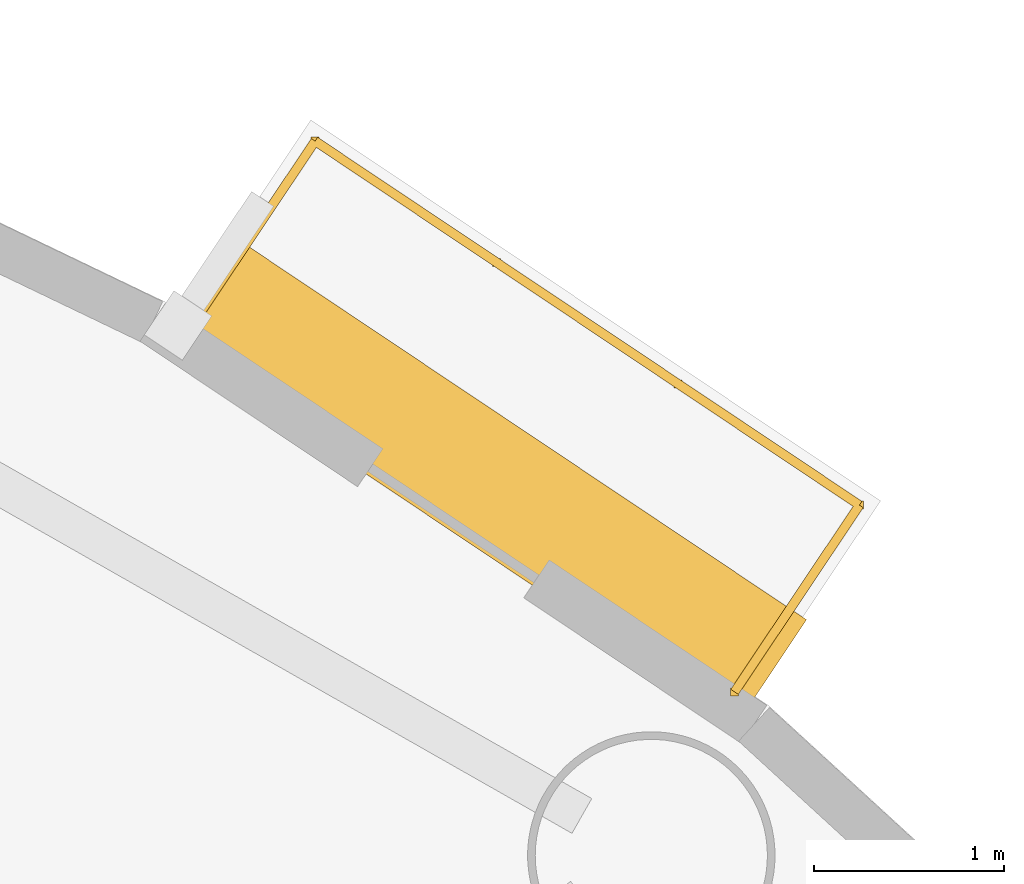
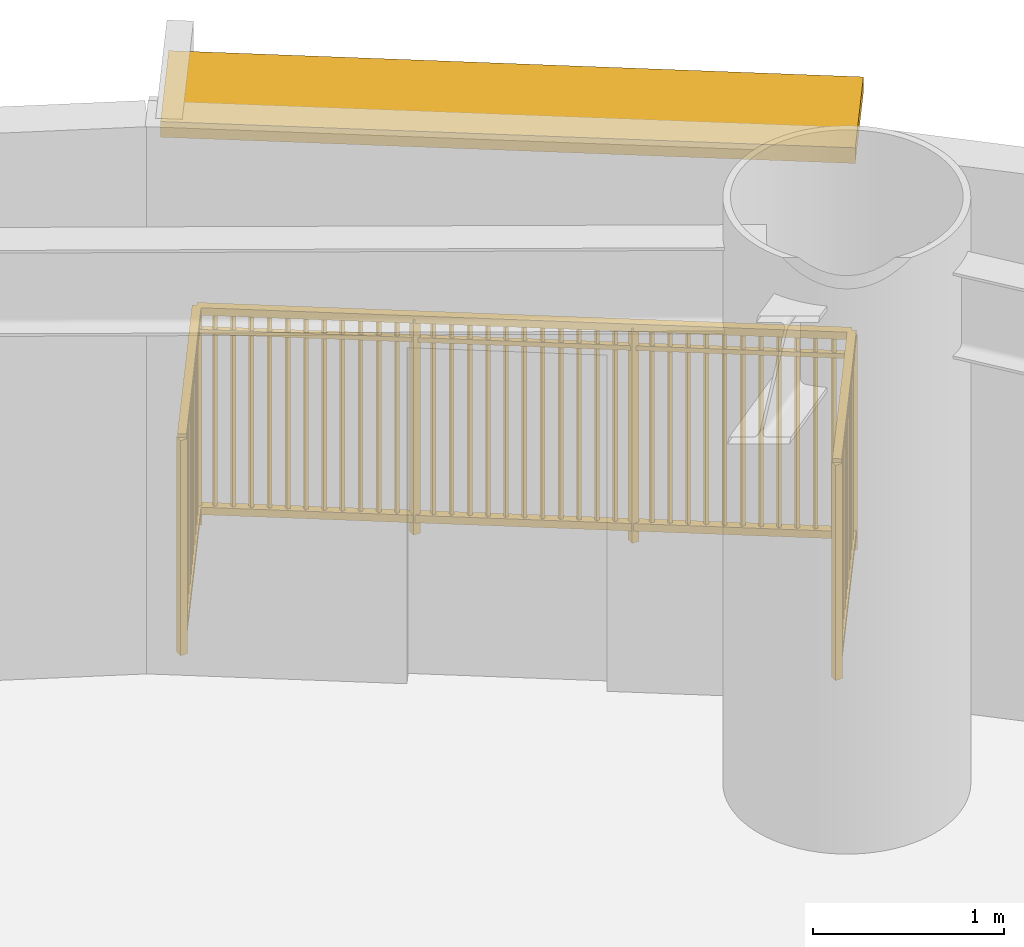
# One storey, part 20 of 20: 1 railing, 1 shading device.
"""IFC4 building model written with IfcOpenShell, lengths in metres."""

import ifcopenshell
import ifcopenshell.guid

model = None  # the IFC model being written
_history = None  # IfcOwnerHistory: only IFC2X3 demands one
_inside = {}  # id of a spatial element -> (the spatial element, [elements in it])
_under = {}  # id of a project, library or spatial element -> (it, [spatial elements below it])
_declared = {}  # id of a project -> (the project, [libraries it declares])
_typed = {}  # id of a type object -> (the type object, [elements of that type])
_made_of = {}  # id of a material, layer set ... -> (it, [elements and type objects made of it])


def new_model(schema):
    """Start an empty IFC model of exactly this schema.

    Asked for "IFC4X3", IfcOpenShell would pick the latest addendum, in which some entities
    have other attributes; the version numbers below select the first issue.
    IFC2X3 requires an IfcOwnerHistory on every rooted entity: one is made here for all.
    """
    global model, _history
    if schema == "IFC4X3":
        model = ifcopenshell.file(schema_version=(4, 3, 0, 0))
    else:
        model = ifcopenshell.file(schema=schema)
    _inside.clear()
    _under.clear()
    _declared.clear()
    _typed.clear()
    _made_of.clear()
    _history = None
    if model.schema == "IFC2X3":
        org = make("IfcOrganization", Name="unknown")
        user = make(
            "IfcPersonAndOrganization",
            ThePerson=make("IfcPerson", FamilyName="unknown"),
            TheOrganization=org,
        )
        app = make(
            "IfcApplication",
            ApplicationDeveloper=org,
            Version="unknown",
            ApplicationFullName="unknown",
            ApplicationIdentifier="unknown",
        )
        _history = make(
            "IfcOwnerHistory",
            OwningUser=user,
            OwningApplication=app,
            ChangeAction="ADDED",
            CreationDate=0,
        )
    return model


def make(cls, **values):
    """One entity of the class cls with the attributes given. An attribute that is None is left unset."""
    return model.create_entity(
        cls, **{name: value for name, value in values.items() if value is not None}
    )


def rooted(cls, **values):
    """An entity with a GlobalId (a new one), such as an element, a storey or a relation."""
    return make(cls, GlobalId=ifcopenshell.guid.new(), OwnerHistory=_history, **values)


def si_unit(unit_type, name, prefix=None):
    """IfcSIUnit, for example si_unit("LENGTHUNIT", "METRE", prefix="MILLI")."""
    return make("IfcSIUnit", UnitType=unit_type, Prefix=prefix, Name=name)


def assignment(units):
    """IfcUnitAssignment: the units of a project."""
    return None if units is None else make("IfcUnitAssignment", Units=units)


def point(xyz):
    """IfcCartesianPoint."""
    return None if xyz is None else make("IfcCartesianPoint", Coordinates=xyz)


def direction(xyz):
    """IfcDirection."""
    return None if xyz is None else make("IfcDirection", DirectionRatios=xyz)


def frame(location, z_axis=None, x_axis=None):
    """IfcAxis2Placement3D, a coordinate frame: its origin and axes. An axis left out is left unset."""
    return make(
        "IfcAxis2Placement3D",
        Location=point(location),
        Axis=direction(z_axis),
        RefDirection=direction(x_axis),
    )


def frame_2d(location, x_axis=None):
    """IfcAxis2Placement2D, a coordinate frame in the plane: its origin and x axis."""
    return make(
        "IfcAxis2Placement2D", Location=point(location), RefDirection=direction(x_axis)
    )


def origin():
    """The frame at (0, 0, 0) with its axes left unset."""
    return frame((0.0, 0.0, 0.0))


def origin_2d():
    """The frame at (0, 0) in the plane with its x axis left unset."""
    return frame_2d((0.0, 0.0))


def place(relative_to, where):
    """IfcLocalPlacement: puts the frame where relative to a parent placement (None: the world)."""
    return make(
        "IfcLocalPlacement", PlacementRelTo=relative_to, RelativePlacement=where
    )


def context(
    kind, dimensions, precision=None, world=None, true_north=None, identifier=None
):
    """IfcGeometricRepresentationContext, for example the 3D "Model" context."""
    return make(
        "IfcGeometricRepresentationContext",
        ContextIdentifier=identifier,
        ContextType=kind,
        CoordinateSpaceDimension=dimensions,
        Precision=precision,
        WorldCoordinateSystem=world,
        TrueNorth=true_north,
    )


def subcontext(parent, identifier, kind, view, scale=None):
    """IfcGeometricRepresentationSubContext, for example "Body" below "Model"."""
    return make(
        "IfcGeometricRepresentationSubContext",
        ContextIdentifier=identifier,
        ContextType=kind,
        ParentContext=parent,
        TargetScale=scale,
        TargetView=view,
    )


def project(units=None, contexts=None):
    """IfcProject with its units and contexts."""
    return rooted(
        "IfcProject",
        Name="project",
        RepresentationContexts=contexts,
        UnitsInContext=assignment(units),
    )


def spatial(cls, under=None, at=None, **own):
    """A site, building, storey or space (cls), placed at a placement, below another one or the project."""
    s = rooted(cls, ObjectPlacement=at, **own)
    if under is not None:
        _under.setdefault(under.id(), (under, []))[1].append(s)
    return s


def profile(cls, at=None, kind="AREA", **sizes):
    """A parametric profile (cls). Its sizes go by their IFC names, for example OverallWidth=200.0."""
    return make(cls, ProfileType=kind, Position=at, **sizes)


def rectangle(**sizes):
    """IfcRectangleProfileDef."""
    return profile("IfcRectangleProfileDef", **sizes)


def extrude(swept, where, along, depth):
    """IfcExtrudedAreaSolid: the profile swept, set in the frame where, extruded along a direction by depth."""
    return make(
        "IfcExtrudedAreaSolid",
        SweptArea=swept,
        Position=where,
        ExtrudedDirection=direction(along),
        Depth=depth,
    )


def shape(context_of_items, identifier, shape_type, items):
    """IfcShapeRepresentation: the items that make up one representation, for example the "Body"."""
    return make(
        "IfcShapeRepresentation",
        ContextOfItems=context_of_items,
        RepresentationIdentifier=identifier,
        RepresentationType=shape_type,
        Items=items,
    )


def source(mapping_origin, context_of_items, identifier, shape_type, items):
    """IfcRepresentationMap: a shape defined once, which mapped items show again and again."""
    return make(
        "IfcRepresentationMap",
        MappingOrigin=mapping_origin,
        MappedRepresentation=shape(context_of_items, identifier, shape_type, items),
    )


def transform(
    local_origin,
    x_axis=None,
    y_axis=None,
    z_axis=None,
    scale=None,
    scale2=None,
    scale3=None,
    uniform=True,
):
    """IfcCartesianTransformationOperator3D, or its non-uniform kind. x_axis, y_axis, z_axis: its Axis1, 2, 3."""
    if uniform:
        return make(
            "IfcCartesianTransformationOperator3D",
            Axis1=direction(x_axis),
            Axis2=direction(y_axis),
            LocalOrigin=point(local_origin),
            Scale=scale,
            Axis3=direction(z_axis),
        )
    return make(
        "IfcCartesianTransformationOperator3DnonUniform",
        Axis1=direction(x_axis),
        Axis2=direction(y_axis),
        LocalOrigin=point(local_origin),
        Scale=scale,
        Axis3=direction(z_axis),
        Scale2=scale2,
        Scale3=scale3,
    )


def mapped(mapping_source, mapping_target):
    """IfcMappedItem: shows the shape of a source again, moved by a transform."""
    return make(
        "IfcMappedItem", MappingSource=mapping_source, MappingTarget=mapping_target
    )


def material(Name=None, Category=None):
    """IfcMaterial."""
    return make("IfcMaterial", Name=Name, Category=Category)


def layer(
    of_material, thickness, ventilated=None, Name=None, Category=None, Priority=None
):
    """IfcMaterialLayer: one layer of a wall or slab, of a material (None: an air gap)."""
    return make(
        "IfcMaterialLayer",
        Material=of_material,
        LayerThickness=thickness,
        IsVentilated=ventilated,
        Name=Name,
        Category=Category,
        Priority=Priority,
    )


def layer_set(layers, Name=None):
    """IfcMaterialLayerSet."""
    return make("IfcMaterialLayerSet", MaterialLayers=layers, LayerSetName=Name)


def made_of(thing, what):
    """Note that an element or type object is made of a material, layer set ...; save() writes the relation."""
    if what is not None:
        _made_of.setdefault(what.id(), (what, []))[1].append(thing)
    return thing


def type_object(cls, material=None, **own):
    """A type object (cls), such as IfcWallType, which elements share."""
    return made_of(rooted(cls, **own), material)


def element(
    cls,
    number,
    at=None,
    inside=None,
    cuts=None,
    type_object=None,
    material=None,
    context=None,
    identifier="Body",
    shape_type=None,
    held_by="IfcProductDefinitionShape",
    body=None,
    shapes=None,
    **own,
):
    """One element of the class cls, such as IfcWall. Its Tag is "e" and its number.

    at: its placement. inside: the storey or other place that contains it. cuts: it is an
    opening in that element (IfcRelVoidsElement). A single representation is given by context,
    identifier, shape_type and body (its items); several are given by shapes. held_by: the class
    of the entity that holds the representations. save() writes the other relations.
    """
    e = rooted(cls, Tag="e%d" % number, ObjectPlacement=at, **own)
    if body is not None:
        shapes = [shape(context, identifier, shape_type, body)]
    if shapes is not None:
        e.Representation = make(held_by, Representations=shapes)
    if inside is not None:
        _inside.setdefault(inside.id(), (inside, []))[1].append(e)
    if cuts is not None:
        rooted(
            "IfcRelVoidsElement", RelatingBuildingElement=cuts, RelatedOpeningElement=e
        )
    if type_object is not None:
        _typed.setdefault(type_object.id(), (type_object, []))[1].append(e)
    return made_of(e, material)


def aggregate(whole, parts):
    """IfcRelAggregates: a whole, such as a stair, and the parts it consists of."""
    return rooted("IfcRelAggregates", RelatingObject=whole, RelatedObjects=parts)


def save(model, path):
    """Write the relations noted so far, then the file.

    IfcRelAggregates (storeys below a building ...), IfcRelContainedInSpatialStructure (elements
    in a storey), IfcRelDefinesByType, IfcRelAssociatesMaterial and IfcRelDeclares: one each for
    every whole, place, type object, material and project.
    """
    for whole, parts in _under.values():
        aggregate(whole, parts)
    for where, things in _inside.values():
        rooted(
            "IfcRelContainedInSpatialStructure",
            RelatedElements=things,
            RelatingStructure=where,
        )
    for kind, things in _typed.values():
        rooted("IfcRelDefinesByType", RelatedObjects=things, RelatingType=kind)
    for what, things in _made_of.values():
        rooted("IfcRelAssociatesMaterial", RelatedObjects=things, RelatingMaterial=what)
    for by, libraries in _declared.values():
        rooted("IfcRelDeclares", RelatingContext=by, RelatedDefinitions=libraries)
    model.write(path)


model = new_model("IFC4")

# Units and contexts
model_context = context("Model", 3, precision=1e-05, world=origin(), true_north=direction((0.0, 1.0)))
body_context = subcontext(model_context, "Body", "Model", "MODEL_VIEW")
ifc_project = project(units=[si_unit("LENGTHUNIT", "METRE"), si_unit("AREAUNIT", "SQUARE_METRE"), si_unit("VOLUMEUNIT", "CUBIC_METRE"), si_unit("PLANEANGLEUNIT", "RADIAN"), si_unit("MASSUNIT", "GRAM", prefix="KILO")], contexts=[model_context])

# Site, building, storey
site_placement = place(None, origin())
site = spatial("IfcSite", under=ifc_project, at=site_placement, CompositionType="ELEMENT")
building_placement = place(site_placement, origin())
building = spatial("IfcBuilding", under=site, at=building_placement, Name="Linh Dai School and Residence Tower", CompositionType="ELEMENT")
storey_placement = place(building_placement, frame((0.0, 0.0, 163.64990234375)))
storey = spatial("IfcBuildingStorey", under=building, at=storey_placement, Name="L39", CompositionType="ELEMENT", Elevation=163.64990234375)

# Railing
ifc_material_1 = material(Name="Structural Steel S355JR", Category="steel")
railing_type = type_object("IfcRailingType", Name="RL-BAL-1400", PredefinedType="BALUSTRADE", material=ifc_material_1)
shared_shape_1 = source(origin(), body_context, "Body", "SweptSolid", [
    extrude(rectangle(XDim=0.048095703125, YDim=0.048095703125, at=origin_2d()), frame((0.0, 0.0, 1.3759765625), z_axis=(0.555845809438, 0.831285411956, 0.0), x_axis=(-0.831285411956, 0.555845809438, 0.0)), (0.0, 0.0, 1.0), 1.1796875),
    extrude(rectangle(XDim=0.048095703125, YDim=0.048095703125, at=origin_2d()), frame((0.0, 0.0, 0.10009765625), z_axis=(0.555845809438, 0.831285411956, 0.0), x_axis=(-0.831285411956, 0.555845809438, 0.0)), (0.0, 0.0, 1.0), 1.1796875),
    extrude(rectangle(XDim=0.030029296875, YDim=0.030029296875, at=origin_2d()), frame((0.0, 0.0, 1.239990234375), z_axis=(0.555845809438, 0.831285411956, 0.0), x_axis=(-0.831285411956, 0.555845809438, 0.0)), (0.0, 0.0, 1.0), 1.1796875),
    extrude(rectangle(XDim=0.02001953125, YDim=0.02001953125, at=origin_2d()), frame((0.050537109375, 0.075439453125, 0.10009765625)), (0.0, 0.0, 1.0), 1.251708984375),
    extrude(rectangle(XDim=0.02001953125, YDim=0.02001953125, at=origin_2d()), frame((0.100830078125, 0.15087890625, 0.10009765625)), (0.0, 0.0, 1.0), 1.251708984375),
    extrude(rectangle(XDim=0.02001953125, YDim=0.02001953125, at=origin_2d()), frame((0.1513671875, 0.226318359375, 0.10009765625)), (0.0, 0.0, 1.0), 1.251708984375),
    extrude(rectangle(XDim=0.02001953125, YDim=0.02001953125, at=origin_2d()), frame((0.20166015625, 0.3017578125, 0.10009765625)), (0.0, 0.0, 1.0), 1.251708984375),
    extrude(rectangle(XDim=0.02001953125, YDim=0.02001953125, at=origin_2d()), frame((0.252197265625, 0.377197265625, 0.10009765625)), (0.0, 0.0, 1.0), 1.251708984375),
    extrude(rectangle(XDim=0.02001953125, YDim=0.02001953125, at=origin_2d()), frame((0.302734375, 0.45263671875, 0.10009765625)), (0.0, 0.0, 1.0), 1.251708984375),
    extrude(rectangle(XDim=0.02001953125, YDim=0.02001953125, at=origin_2d()), frame((0.35302734375, 0.528076171875, 0.10009765625)), (0.0, 0.0, 1.0), 1.251708984375),
    extrude(rectangle(XDim=0.02001953125, YDim=0.02001953125, at=origin_2d()), frame((0.403564453125, 0.603515625, 0.10009765625)), (0.0, 0.0, 1.0), 1.251708984375),
    extrude(rectangle(XDim=0.02001953125, YDim=0.02001953125, at=origin_2d()), frame((0.4541015625, 0.678955078125, 0.10009765625)), (0.0, 0.0, 1.0), 1.251708984375),
    extrude(rectangle(XDim=0.02001953125, YDim=0.02001953125, at=origin_2d()), frame((0.50439453125, 0.75439453125, 0.10009765625)), (0.0, 0.0, 1.0), 1.251708984375),
    extrude(rectangle(XDim=0.02001953125, YDim=0.02001953125, at=origin_2d()), frame((0.554931640625, 0.829833984375, 0.10009765625)), (0.0, 0.0, 1.0), 1.251708984375),
    extrude(rectangle(XDim=0.02001953125, YDim=0.02001953125, at=origin_2d()), frame((0.605224609375, 0.9052734375, 0.10009765625)), (0.0, 0.0, 1.0), 1.251708984375),
    extrude(rectangle(XDim=0.048095703125, YDim=0.048095703125, at=origin_2d()), frame((0.65576171875, 0.980712890625, 1.3759765625), z_axis=(0.831252406141, -0.555895167532, 0.0), x_axis=(0.555895167532, 0.831252406141, 0.0)), (0.0, 0.0, 1.0), 3.440185546875),
    extrude(rectangle(XDim=0.048095703125, YDim=0.048095703125, at=origin_2d()), frame((0.65576171875, 0.980712890625, 0.10009765625), z_axis=(0.831252406141, -0.555895167532, 0.0), x_axis=(0.555895167532, 0.831252406141, 0.0)), (0.0, 0.0, 1.0), 3.440185546875),
    extrude(rectangle(XDim=0.030029296875, YDim=0.030029296875, at=origin_2d()), frame((0.65576171875, 0.980712890625, 1.239990234375), z_axis=(0.831252406141, -0.555895167532, 0.0), x_axis=(0.555895167532, 0.831252406141, 0.0)), (0.0, 0.0, 1.0), 3.440185546875),
    extrude(rectangle(XDim=0.02001953125, YDim=0.02001953125, at=origin_2d()), frame((0.735107421875, 0.927490234375, 0.10009765625)), (0.0, 0.0, 1.0), 1.251708984375),
    extrude(rectangle(XDim=0.02001953125, YDim=0.02001953125, at=origin_2d()), frame((0.814697265625, 0.87451171875, 0.10009765625)), (0.0, 0.0, 1.0), 1.251708984375),
    extrude(rectangle(XDim=0.02001953125, YDim=0.02001953125, at=origin_2d()), frame((0.89404296875, 0.8212890625, 0.10009765625)), (0.0, 0.0, 1.0), 1.251708984375),
    extrude(rectangle(XDim=0.02001953125, YDim=0.02001953125, at=origin_2d()), frame((0.973388671875, 0.768310546875, 0.10009765625)), (0.0, 0.0, 1.0), 1.251708984375),
    extrude(rectangle(XDim=0.02001953125, YDim=0.02001953125, at=origin_2d()), frame((1.052978515625, 0.715087890625, 0.10009765625)), (0.0, 0.0, 1.0), 1.251708984375),
    extrude(rectangle(XDim=0.02001953125, YDim=0.02001953125, at=origin_2d()), frame((1.13232421875, 0.662109375, 0.10009765625)), (0.0, 0.0, 1.0), 1.251708984375),
    extrude(rectangle(XDim=0.02001953125, YDim=0.02001953125, at=origin_2d()), frame((1.2119140625, 0.60888671875, 0.10009765625)), (0.0, 0.0, 1.0), 1.251708984375),
    extrude(rectangle(XDim=0.02001953125, YDim=0.02001953125, at=origin_2d()), frame((1.291259765625, 0.5556640625, 0.10009765625)), (0.0, 0.0, 1.0), 1.251708984375),
    extrude(rectangle(XDim=0.02001953125, YDim=0.02001953125, at=origin_2d()), frame((1.37060546875, 0.502685546875, 0.10009765625)), (0.0, 0.0, 1.0), 1.251708984375),
    extrude(rectangle(XDim=0.02001953125, YDim=0.02001953125, at=origin_2d()), frame((1.4501953125, 0.449462890625, 0.10009765625)), (0.0, 0.0, 1.0), 1.251708984375),
    extrude(rectangle(XDim=0.02001953125, YDim=0.02001953125, at=origin_2d()), frame((1.529541015625, 0.396484375, 0.10009765625)), (0.0, 0.0, 1.0), 1.251708984375),
    extrude(rectangle(XDim=0.02001953125, YDim=0.02001953125, at=origin_2d()), frame((1.6884765625, 0.2900390625, 0.10009765625)), (0.0, 0.0, 1.0), 1.251708984375),
    extrude(rectangle(XDim=0.02001953125, YDim=0.02001953125, at=origin_2d()), frame((1.767822265625, 0.237060546875, 0.10009765625)), (0.0, 0.0, 1.0), 1.251708984375),
    extrude(rectangle(XDim=0.02001953125, YDim=0.02001953125, at=origin_2d()), frame((1.84716796875, 0.183837890625, 0.10009765625)), (0.0, 0.0, 1.0), 1.251708984375),
    extrude(rectangle(XDim=0.02001953125, YDim=0.02001953125, at=origin_2d()), frame((1.9267578125, 0.130859375, 0.10009765625)), (0.0, 0.0, 1.0), 1.251708984375),
    extrude(rectangle(XDim=0.02001953125, YDim=0.02001953125, at=origin_2d()), frame((2.006103515625, 0.07763671875, 0.10009765625)), (0.0, 0.0, 1.0), 1.251708984375),
    extrude(rectangle(XDim=0.02001953125, YDim=0.02001953125, at=origin_2d()), frame((2.08544921875, 0.0244140625, 0.10009765625)), (0.0, 0.0, 1.0), 1.251708984375),
    extrude(rectangle(XDim=0.02001953125, YDim=0.02001953125, at=origin_2d()), frame((2.1650390625, -0.028564453125, 0.10009765625)), (0.0, 0.0, 1.0), 1.251708984375),
    extrude(rectangle(XDim=0.02001953125, YDim=0.02001953125, at=origin_2d()), frame((2.244384765625, -0.081787109375, 0.10009765625)), (0.0, 0.0, 1.0), 1.251708984375),
    extrude(rectangle(XDim=0.02001953125, YDim=0.02001953125, at=origin_2d()), frame((2.323974609375, -0.134765625, 0.10009765625)), (0.0, 0.0, 1.0), 1.251708984375),
    extrude(rectangle(XDim=0.02001953125, YDim=0.02001953125, at=origin_2d()), frame((2.4033203125, -0.18798828125, 0.10009765625)), (0.0, 0.0, 1.0), 1.251708984375),
    extrude(rectangle(XDim=0.02001953125, YDim=0.02001953125, at=origin_2d()), frame((2.482666015625, -0.240966796875, 0.10009765625)), (0.0, 0.0, 1.0), 1.251708984375),
    extrude(rectangle(XDim=0.02001953125, YDim=0.02001953125, at=origin_2d()), frame((2.6416015625, -0.347412109375, 0.10009765625)), (0.0, 0.0, 1.0), 1.251708984375),
    extrude(rectangle(XDim=0.02001953125, YDim=0.02001953125, at=origin_2d()), frame((2.720947265625, -0.400390625, 0.10009765625)), (0.0, 0.0, 1.0), 1.251708984375),
    extrude(rectangle(XDim=0.02001953125, YDim=0.02001953125, at=origin_2d()), frame((2.800537109375, -0.45361328125, 0.10009765625)), (0.0, 0.0, 1.0), 1.251708984375),
    extrude(rectangle(XDim=0.02001953125, YDim=0.02001953125, at=origin_2d()), frame((2.8798828125, -0.506591796875, 0.10009765625)), (0.0, 0.0, 1.0), 1.251708984375),
    extrude(rectangle(XDim=0.02001953125, YDim=0.02001953125, at=origin_2d()), frame((2.959228515625, -0.559814453125, 0.10009765625)), (0.0, 0.0, 1.0), 1.251708984375),
    extrude(rectangle(XDim=0.02001953125, YDim=0.02001953125, at=origin_2d()), frame((3.038818359375, -0.61279296875, 0.10009765625)), (0.0, 0.0, 1.0), 1.251708984375),
    extrude(rectangle(XDim=0.02001953125, YDim=0.02001953125, at=origin_2d()), frame((3.1181640625, -0.666015625, 0.10009765625)), (0.0, 0.0, 1.0), 1.251708984375),
    extrude(rectangle(XDim=0.02001953125, YDim=0.02001953125, at=origin_2d()), frame((3.19775390625, -0.71923828125, 0.10009765625)), (0.0, 0.0, 1.0), 1.251708984375),
    extrude(rectangle(XDim=0.02001953125, YDim=0.02001953125, at=origin_2d()), frame((3.277099609375, -0.772216796875, 0.10009765625)), (0.0, 0.0, 1.0), 1.251708984375),
    extrude(rectangle(XDim=0.02001953125, YDim=0.02001953125, at=origin_2d()), frame((3.3564453125, -0.825439453125, 0.10009765625)), (0.0, 0.0, 1.0), 1.251708984375),
    extrude(rectangle(XDim=0.02001953125, YDim=0.02001953125, at=origin_2d()), frame((3.43603515625, -0.87841796875, 0.10009765625)), (0.0, 0.0, 1.0), 1.251708984375),
    extrude(rectangle(XDim=0.048095703125, YDim=0.048095703125, at=origin_2d()), frame((3.515380859375, -0.931640625, 1.3759765625), z_axis=(-0.55589317819, -0.831253736498, 0.0), x_axis=(0.831253736498, -0.55589317819, 0.0)), (0.0, 0.0, 1.0), 1.18017578125),
    extrude(rectangle(XDim=0.048095703125, YDim=0.048095703125, at=origin_2d()), frame((3.515380859375, -0.931640625, 0.10009765625), z_axis=(-0.55589317819, -0.831253736498, 0.0), x_axis=(0.831253736498, -0.55589317819, 0.0)), (0.0, 0.0, 1.0), 1.18017578125),
    extrude(rectangle(XDim=0.030029296875, YDim=0.030029296875, at=origin_2d()), frame((3.515380859375, -0.931640625, 1.239990234375), z_axis=(-0.55589317819, -0.831253736498, 0.0), x_axis=(0.831253736498, -0.55589317819, 0.0)), (0.0, 0.0, 1.0), 1.18017578125),
    extrude(rectangle(XDim=0.02001953125, YDim=0.02001953125, at=origin_2d()), frame((3.46484375, -1.007080078125, 0.10009765625)), (0.0, 0.0, 1.0), 1.251708984375),
    extrude(rectangle(XDim=0.02001953125, YDim=0.02001953125, at=origin_2d()), frame((3.41455078125, -1.08251953125, 0.10009765625)), (0.0, 0.0, 1.0), 1.251708984375),
    extrude(rectangle(XDim=0.02001953125, YDim=0.02001953125, at=origin_2d()), frame((3.364013671875, -1.157958984375, 0.10009765625)), (0.0, 0.0, 1.0), 1.251708984375),
    extrude(rectangle(XDim=0.02001953125, YDim=0.02001953125, at=origin_2d()), frame((3.3134765625, -1.2333984375, 0.10009765625)), (0.0, 0.0, 1.0), 1.251708984375),
    extrude(rectangle(XDim=0.02001953125, YDim=0.02001953125, at=origin_2d()), frame((3.26318359375, -1.308837890625, 0.10009765625)), (0.0, 0.0, 1.0), 1.251708984375),
    extrude(rectangle(XDim=0.02001953125, YDim=0.02001953125, at=origin_2d()), frame((3.212646484375, -1.38427734375, 0.10009765625)), (0.0, 0.0, 1.0), 1.251708984375),
    extrude(rectangle(XDim=0.02001953125, YDim=0.02001953125, at=origin_2d()), frame((3.162109375, -1.4599609375, 0.10009765625)), (0.0, 0.0, 1.0), 1.251708984375),
    extrude(rectangle(XDim=0.02001953125, YDim=0.02001953125, at=origin_2d()), frame((3.111572265625, -1.535400390625, 0.10009765625)), (0.0, 0.0, 1.0), 1.251708984375),
    extrude(rectangle(XDim=0.02001953125, YDim=0.02001953125, at=origin_2d()), frame((3.061279296875, -1.61083984375, 0.10009765625)), (0.0, 0.0, 1.0), 1.251708984375),
    extrude(rectangle(XDim=0.02001953125, YDim=0.02001953125, at=origin_2d()), frame((3.0107421875, -1.686279296875, 0.10009765625)), (0.0, 0.0, 1.0), 1.251708984375),
    extrude(rectangle(XDim=0.02001953125, YDim=0.02001953125, at=origin_2d()), frame((2.960205078125, -1.76171875, 0.10009765625)), (0.0, 0.0, 1.0), 1.251708984375),
    extrude(rectangle(XDim=0.02001953125, YDim=0.02001953125, at=origin_2d()), frame((2.909912109375, -1.837158203125, 0.10009765625)), (0.0, 0.0, 1.0), 1.251708984375),
    extrude(rectangle(XDim=0.0419921875, YDim=0.0419921875, at=origin_2d()), origin(), (0.0, 0.0, 1.0), 1.3759765625),
    extrude(rectangle(XDim=0.0419921875, YDim=0.0419921875, at=origin_2d()), frame((0.65576171875, 0.980712890625, 0.0)), (0.0, 0.0, 1.0), 1.3759765625),
    extrude(rectangle(XDim=0.0419921875, YDim=0.0419921875, at=origin_2d()), frame((1.60888671875, 0.34326171875, 0.0)), (0.0, 0.0, 1.0), 1.3759765625),
    extrude(rectangle(XDim=0.0419921875, YDim=0.0419921875, at=origin_2d()), frame((2.562255859375, -0.294189453125, 0.0)), (0.0, 0.0, 1.0), 1.3759765625),
    extrude(rectangle(XDim=0.0419921875, YDim=0.0419921875, at=origin_2d()), frame((3.515380859375, -0.931640625, 0.0)), (0.0, 0.0, 1.0), 1.3759765625),
    extrude(rectangle(XDim=0.0419921875, YDim=0.0419921875, at=origin_2d()), frame((2.859375, -1.91259765625, 0.0)), (0.0, 0.0, 1.0), 1.3759765625),
])
railing_placement = place(storey_placement, frame((51.770263671875, 43.7138671875, 0.0)))
element("IfcRailing", 1, at=railing_placement, inside=storey, type_object=railing_type, Name="L39 Balcony Safety Balustrade 06", PredefinedType="BALUSTRADE", context=body_context, shape_type="MappedRepresentation", body=[
    mapped(shared_shape_1, transform((0.0, 0.0, 0.0), x_axis=(1.0, 0.0, 0.0), y_axis=(0.0, 1.0, 0.0), z_axis=(0.0, 0.0, 1.0), scale=1.0)),
])

# Shading device
ifc_material_2 = material(Name="Terracotta Ceramic Sunshade", Category="masonry")
ifc_layer = layer(ifc_material_2, 0.10009765625)
ifc_layer_set = layer_set([ifc_layer], Name="Terracotta Ceramic Sunshade")
shading_device_type = type_object("IfcShadingDeviceType", Name="SHD-TC-650", PredefinedType="USERDEFINED", material=ifc_layer_set)
shared_shape_2 = source(origin(), body_context, "Body", "SweptSolid", [
    extrude(rectangle(XDim=3.64794921875, YDim=0.64990234375, at=origin_2d()), origin(), (0.0, 0.0, 1.0), 0.10009765625),
])
shading_device_placement = place(storey_placement, frame((53.31103515625, 42.923828125, 3.380126953125), z_axis=(0.0, 0.0, 1.0), x_axis=(0.831228338651, -0.555931154932, 0.0)))
element("IfcShadingDevice", 2, at=shading_device_placement, inside=storey, type_object=shading_device_type, Name="L39 Terracotta Horizontal Sunshade Band 06", ObjectType="SUNSHADE", PredefinedType="USERDEFINED", context=body_context, shape_type="MappedRepresentation", body=[
    mapped(shared_shape_2, transform((0.0, 0.0, 0.0), x_axis=(1.0, 0.0, 0.0), y_axis=(0.0, 1.0, 0.0), z_axis=(0.0, 0.0, 1.0), scale=1.0)),
])

save(model, "model.ifc")
